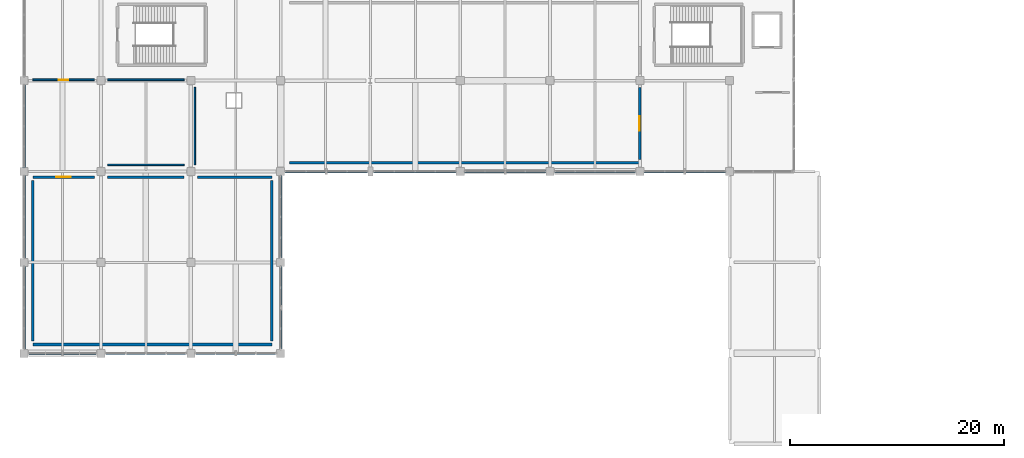
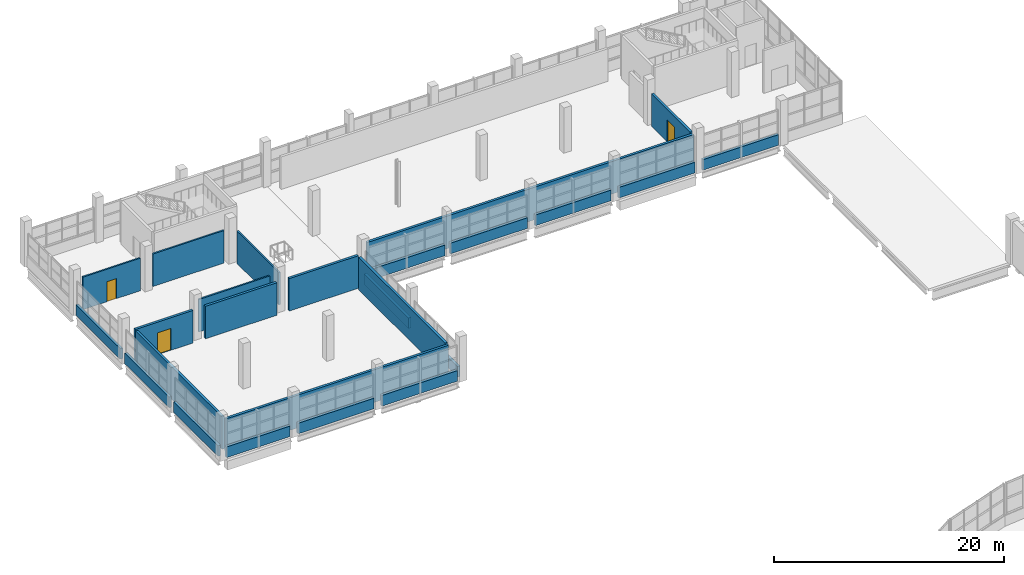
# One storey, part 98 of 117: 25 walls, 3 doors, 3 openings.
"""IFC4 building model written with IfcOpenShell, lengths in metres."""

from ifc_helpers import new_model, si_unit, direction, frame, frame_2d, origin, place, context, subcontext, project, spatial, rectangle, extrude, material, layer, layer_set, type_object, element, fill, save


model = new_model("IFC4")

# Units and contexts
model_context = context("Model", 3, precision=1e-05, world=origin(), true_north=direction((0.0, 1.0)))
body_context = subcontext(model_context, "Body", "Model", "MODEL_VIEW")
ifc_project = project(units=[si_unit("LENGTHUNIT", "METRE"), si_unit("AREAUNIT", "SQUARE_METRE"), si_unit("VOLUMEUNIT", "CUBIC_METRE"), si_unit("PLANEANGLEUNIT", "RADIAN"), si_unit("MASSUNIT", "GRAM", prefix="KILO")], contexts=[model_context])

# Site, building, storey
site_placement = place(None, origin())
site = spatial("IfcSite", under=ifc_project, at=site_placement, CompositionType="ELEMENT")
building_placement = place(site_placement, origin())
building = spatial("IfcBuilding", under=site, at=building_placement, Name="Solvento Point Concert Hall", CompositionType="ELEMENT")
storey_placement = place(building_placement, frame((0.0, 0.0, 5.39990234375)))
storey = spatial("IfcBuildingStorey", under=building, at=storey_placement, Name="L01", CompositionType="ELEMENT", Elevation=5.39990234375)

# Wall, opening, door
ifc_material_1 = material(Name="Acoustic Double-Stud Gypsum Partition")
ifc_layer_1 = layer(ifc_material_1, 0.159912109375)
ifc_layer_set_1 = layer_set([ifc_layer_1], Name="Acoustic Double-Stud Gypsum Partition")
wall_type_1 = type_object("IfcWallType", Name="AcousticPartition_160", PredefinedType="PARTITIONING", material=ifc_layer_set_1)
wall_1_placement = place(storey_placement, frame((0.820068359375, 127.580078125, 0.0), z_axis=(0.0, 0.0, 1.0), x_axis=(1.0, 0.0, 0.0)))
wall_1 = element("IfcWall", 1, at=wall_1_placement, inside=storey, type_object=wall_type_1, Name="Interior acoustic partition PW-97 L01", PredefinedType="PARTITIONING", context=body_context, shape_type="SweptSolid", body=[
    extrude(rectangle(XDim=5.7548828125, YDim=0.159912109375, at=frame_2d((2.87744140625, 0.0))), origin(), (0.0, 0.0, 1.0), 3.4501953125),
])
opening_1_placement = place(wall_1_placement, frame((2.41748046875, 0.0, 0.0)))
opening_1 = element("IfcOpeningElement", 2, at=opening_1_placement, cuts=wall_1, Name="Opening DR-46", PredefinedType="OPENING", context=body_context, shape_type="SweptSolid", body=[
    extrude(rectangle(XDim=0.919921875, YDim=2.1201171875, at=frame_2d((0.4599609375, 1.06005859375))), frame((0.0, 0.08984375, 0.0), z_axis=(0.0, -1.0, 0.0), x_axis=(1.0, 0.0, 0.0)), (0.0, 0.0, 1.0), 0.179931640625),
])
ifc_material_2 = material(Name="Brazilian Hardwood Acoustic Door", Category="wood")
door_type_1 = type_object("IfcDoorType", Name="IntDoor_AccessibleWC", OperationType="NOTDEFINED", PredefinedType="DOOR", material=ifc_material_2)
door_1_placement = place(opening_1_placement, origin())
door_1 = element("IfcDoor", 3, at=door_1_placement, inside=storey, type_object=door_type_1, Name="Interior door DR-46 L01", OperationType="SINGLE_SWING_LEFT", OverallHeight=2.1201171875, OverallWidth=0.919921875, PredefinedType="DOOR", context=body_context, shape_type="SweptSolid", body=[
    extrude(rectangle(XDim=0.919921875, YDim=2.1201171875, at=frame_2d((0.4599609375, 1.06005859375))), frame((0.0, 0.02490234375, 0.0), z_axis=(0.0, -1.0, 0.0), x_axis=(1.0, 0.0, 0.0)), (0.0, 0.0, 1.0), 0.050048828125),
])
fill(opening_1, door_1)

# Walls
for number, where, z_axis, x_axis, name in (
    (4, (7.824951171875, 127.580078125, 0.0), (0.0, 0.0, 1.0), (1.0, 0.0, 0.0), "Interior acoustic partition PW-97 L01"),
    (5, (14.97509765625, 119.6201171875, 0.0), (0.0, 0.0, 1.0), (-1.0, 0.0, 0.0), "Interior acoustic partition PW-97 L01"),
):
    element("IfcWall", number, at=place(storey_placement, frame(where, z_axis=z_axis, x_axis=x_axis)), inside=storey, type_object=wall_type_1, Name=name, PredefinedType="PARTITIONING", context=body_context, shape_type="SweptSolid", body=[
        extrude(rectangle(XDim=7.150146484375, YDim=0.159912109375, at=frame_2d((3.5751953125, 0.0))), origin(), (0.0, 0.0, 1.0), 3.4501953125),
    ])
wall_2_placement = place(storey_placement, frame((15.97998046875, 126.875, 0.0), z_axis=(0.0, 0.0, 1.0), x_axis=(0.0, -1.0, 0.0)))
element("IfcWall", 6, at=wall_2_placement, inside=storey, type_object=wall_type_1, Name="Interior acoustic partition PW-97 L01", PredefinedType="PARTITIONING", context=body_context, shape_type="SweptSolid", body=[
    extrude(rectangle(XDim=7.25, YDim=0.159912109375, at=frame_2d((3.625, 0.0))), origin(), (0.0, 0.0, 1.0), 3.4501953125),
])

# Wall, opening, door
ifc_material_3 = material(Name="Acoustic Double-Stud Gypsum Partition")
ifc_layer_2 = layer(ifc_material_3, 0.2451171875)
ifc_layer_set_2 = layer_set([ifc_layer_2], Name="Acoustic Double-Stud Gypsum Partition")
wall_type_2 = type_object("IfcWallType", Name="AcousticPartition_245", PredefinedType="PARTITIONING", material=ifc_layer_set_2)
wall_3_placement = place(storey_placement, frame((0.820068359375, 118.47998046875, 0.0), z_axis=(0.0, 0.0, 1.0), x_axis=(1.0, 0.0, 0.0)))
wall_3 = element("IfcWall", 7, at=wall_3_placement, inside=storey, type_object=wall_type_2, Name="Interior acoustic partition PW-28 L01", PredefinedType="PARTITIONING", context=body_context, shape_type="SweptSolid", body=[
    extrude(rectangle(XDim=5.7548828125, YDim=0.2451171875, at=frame_2d((2.87744140625, 0.0))), origin(), (0.0, 0.0, 1.0), 3.4501953125),
])
opening_2_placement = place(wall_3_placement, frame((2.202392578125, 0.0, 0.0)))
opening_2 = element("IfcOpeningElement", 8, at=opening_2_placement, cuts=wall_3, Name="Opening DR-31", PredefinedType="OPENING", context=body_context, shape_type="SweptSolid", body=[
    extrude(rectangle(XDim=1.35009765625, YDim=2.320068359375, at=frame_2d((0.675048828125, 1.16015625))), frame((0.0, 0.132568359375, 0.0), z_axis=(0.0, -1.0, 0.0), x_axis=(1.0, 0.0, 0.0)), (0.0, 0.0, 1.0), 0.26513671875),
])
ifc_material_4 = material(Name="Brazilian Hardwood Acoustic Door", Category="wood")
door_type_2 = type_object("IfcDoorType", Name="IntDoor_EnsembleSTC55", OperationType="NOTDEFINED", PredefinedType="DOOR", material=ifc_material_4)
door_2_placement = place(opening_2_placement, origin())
door_2 = element("IfcDoor", 9, at=door_2_placement, inside=storey, type_object=door_type_2, Name="Interior door DR-31 L01", OperationType="SINGLE_SWING_LEFT", OverallHeight=2.320068359375, OverallWidth=1.35009765625, PredefinedType="DOOR", context=body_context, shape_type="SweptSolid", body=[
    extrude(rectangle(XDim=1.35009765625, YDim=2.320068359375, at=frame_2d((0.675048828125, 1.16015625))), frame((0.0, 0.02490234375, 0.0), z_axis=(0.0, -1.0, 0.0), x_axis=(1.0, 0.0, 0.0)), (0.0, 0.0, 1.0), 0.050048828125),
])
fill(opening_2, door_2)

# Walls
wall_4_placement = place(storey_placement, frame((7.824951171875, 118.47998046875, 0.0), z_axis=(0.0, 0.0, 1.0), x_axis=(1.0, 0.0, 0.0)))
element("IfcWall", 10, at=wall_4_placement, inside=storey, type_object=wall_type_2, Name="Interior acoustic partition PW-28 L01", PredefinedType="PARTITIONING", context=body_context, shape_type="SweptSolid", body=[
    extrude(rectangle(XDim=7.150146484375, YDim=0.2451171875, at=frame_2d((3.5751953125, 0.0))), origin(), (0.0, 0.0, 1.0), 3.4501953125),
])
wall_5_placement = place(storey_placement, frame((16.22509765625, 118.47998046875, 0.0), z_axis=(0.0, 0.0, 1.0), x_axis=(1.0, 0.0, 0.0)))
element("IfcWall", 11, at=wall_5_placement, inside=storey, type_object=wall_type_2, Name="Interior acoustic partition PW-28 L01", PredefinedType="PARTITIONING", context=body_context, shape_type="SweptSolid", body=[
    extrude(rectangle(XDim=6.954833984375, YDim=0.2451171875, at=frame_2d((3.4775390625, 0.0))), origin(), (0.0, 0.0, 1.0), 3.4501953125),
])
wall_6_placement = place(storey_placement, frame((23.179931640625, 102.820068359375, 0.0), z_axis=(0.0, 0.0, 1.0), x_axis=(-1.0, 0.0, 0.0)))
element("IfcWall", 12, at=wall_6_placement, inside=storey, type_object=wall_type_2, Name="Interior acoustic partition PW-28 L01", PredefinedType="PARTITIONING", context=body_context, shape_type="SweptSolid", body=[
    extrude(rectangle(XDim=22.35986328125, YDim=0.2451171875, at=frame_2d((11.179931640625, 0.0))), origin(), (0.0, 0.0, 1.0), 3.4501953125),
])
for number, where, z_axis, x_axis, name in (
    (13, (23.179931640625, 118.159912109375, 0.0), (0.0, 0.0, 1.0), (0.0, -1.0, 0.0), "Interior acoustic partition PW-28 L01"),
    (14, (0.820068359375, 103.139892578125, 0.0), (0.0, 0.0, 1.0), (0.0, 1.0, 0.0), "Interior acoustic partition PW-28 L01"),
):
    element("IfcWall", number, at=place(storey_placement, frame(where, z_axis=z_axis, x_axis=x_axis)), inside=storey, type_object=wall_type_2, Name=name, PredefinedType="PARTITIONING", context=body_context, shape_type="SweptSolid", body=[
        extrude(rectangle(XDim=15.02001953125, YDim=0.2451171875, at=frame_2d((7.510009765625, 0.0))), origin(), (0.0, 0.0, 1.0), 3.4501953125),
    ])
wall_7_placement = place(storey_placement, frame((57.580078125, 119.820068359375, 0.0), z_axis=(0.0, 0.0, 1.0), x_axis=(-1.0, 0.0, 0.0)))
element("IfcWall", 15, at=wall_7_placement, inside=storey, type_object=wall_type_2, Name="Interior acoustic partition PW-28 L01", PredefinedType="PARTITIONING", context=body_context, shape_type="SweptSolid", body=[
    extrude(rectangle(XDim=32.760009765625, YDim=0.2451171875, at=frame_2d((16.3798828125, 0.0))), origin(), (0.0, 0.0, 1.0), 3.4501953125),
])

# Wall, opening, door
wall_8_placement = place(storey_placement, frame((57.580078125, 126.875, 0.0), z_axis=(0.0, 0.0, 1.0), x_axis=(0.0, -1.0, 0.0)))
wall_8 = element("IfcWall", 16, at=wall_8_placement, inside=storey, type_object=wall_type_2, Name="Interior acoustic partition PW-28 L01", PredefinedType="PARTITIONING", context=body_context, shape_type="SweptSolid", body=[
    extrude(rectangle(XDim=6.735107421875, YDim=0.2451171875, at=frame_2d((3.36767578125, 0.0))), origin(), (0.0, 0.0, 1.0), 3.4501953125),
])
opening_3_placement = place(wall_8_placement, frame((2.6923828125, 0.0, 0.0)))
opening_3 = element("IfcOpeningElement", 17, at=opening_3_placement, cuts=wall_8, Name="Opening DR-31", PredefinedType="OPENING", context=body_context, shape_type="SweptSolid", body=[
    extrude(rectangle(XDim=1.35009765625, YDim=2.320068359375, at=frame_2d((0.675048828125, 1.16015625))), frame((0.0, 0.132568359375, 0.0), z_axis=(0.0, -1.0, 0.0), x_axis=(1.0, 0.0, 0.0)), (0.0, 0.0, 1.0), 0.26513671875),
])
door_3_placement = place(opening_3_placement, origin())
door_3 = element("IfcDoor", 18, at=door_3_placement, inside=storey, type_object=door_type_2, Name="Interior door DR-31 L01", OperationType="SINGLE_SWING_RIGHT", OverallHeight=2.320068359375, OverallWidth=1.35009765625, PredefinedType="DOOR", context=body_context, shape_type="SweptSolid", body=[
    extrude(rectangle(XDim=1.35009765625, YDim=2.320068359375, at=frame_2d((0.675048828125, 1.16015625))), frame((0.0, 0.02490234375, 0.0), z_axis=(0.0, -1.0, 0.0), x_axis=(1.0, 0.0, 0.0)), (0.0, 0.0, 1.0), 0.050048828125),
])
fill(opening_3, door_3)

# Walls
ifc_material_5 = material(Name="Concrete C40/50", Category="concrete")
ifc_layer_3 = layer(ifc_material_5, 0.260009765625)
ifc_layer_set_3 = layer_set([ifc_layer_3], Name="Concrete C40/50")
wall_type_3 = type_object("IfcWallType", Name="Parapet_Ring_260", PredefinedType="PARAPET", material=ifc_layer_set_3)
for number, where, z_axis, x_axis, name in (
    (19, (0.0, 102.39501953125, 0.0), (0.0, 0.0, 1.0), (0.0, 1.0, 0.0), "Sliding elliptical white concrete ring spandrel PR-01 L01"),
    (20, (0.0, 110.89501953125, 0.0), (0.0, 0.0, 1.0), (0.0, 1.0, 0.0), "Sliding elliptical white concrete ring spandrel PR-01 L01"),
    (21, (0.0, 119.39501953125, 0.0), (0.0, 0.0, 1.0), (0.0, 1.0, 0.0), "Sliding elliptical white concrete ring spandrel PR-01 L01"),
):
    element("IfcWall", number, at=place(storey_placement, frame(where, z_axis=z_axis, x_axis=x_axis)), inside=storey, type_object=wall_type_3, Name=name, PredefinedType="PARAPET", context=body_context, shape_type="SweptSolid", body=[
        extrude(rectangle(XDim=7.7099609375, YDim=0.260009765625, at=frame_2d((3.85498046875, 0.0))), origin(), (0.0, 0.0, 1.0), 1.1201171875),
    ])
wall_9_placement = place(storey_placement, frame((32.1298828125, 119.0, 0.0), z_axis=(0.0, 0.0, 1.0), x_axis=(-1.0, 0.0, 0.0)))
element("IfcWall", 22, at=wall_9_placement, inside=storey, type_object=wall_type_3, Name="Sliding elliptical white concrete ring spandrel PR-01 L01", PredefinedType="PARAPET", context=body_context, shape_type="SweptSolid", body=[
    extrude(rectangle(XDim=7.73486328125, YDim=0.260009765625, at=frame_2d((3.867431640625, 0.0))), origin(), (0.0, 0.0, 1.0), 1.1201171875),
])
wall_10_placement = place(storey_placement, frame((40.405029296875, 119.0, 0.0), z_axis=(0.0, 0.0, 1.0), x_axis=(-1.0, 0.0, 0.0)))
element("IfcWall", 23, at=wall_10_placement, inside=storey, type_object=wall_type_3, Name="Sliding elliptical white concrete ring spandrel PR-01 L01", PredefinedType="PARAPET", context=body_context, shape_type="SweptSolid", body=[
    extrude(rectangle(XDim=7.735107421875, YDim=0.260009765625, at=frame_2d((3.86767578125, 0.0))), origin(), (0.0, 0.0, 1.0), 1.1201171875),
])
wall_11_placement = place(storey_placement, frame((48.804931640625, 119.0, 0.0), z_axis=(0.0, 0.0, 1.0), x_axis=(-1.0, 0.0, 0.0)))
element("IfcWall", 24, at=wall_11_placement, inside=storey, type_object=wall_type_3, Name="Sliding elliptical white concrete ring spandrel PR-01 L01", PredefinedType="PARAPET", context=body_context, shape_type="SweptSolid", body=[
    extrude(rectangle(XDim=7.60986328125, YDim=0.260009765625, at=frame_2d((3.804931640625, 0.0))), origin(), (0.0, 0.0, 1.0), 1.1201171875),
])
wall_12_placement = place(storey_placement, frame((57.205078125, 119.0, 0.0), z_axis=(0.0, 0.0, 1.0), x_axis=(-1.0, 0.0, 0.0)))
element("IfcWall", 25, at=wall_12_placement, inside=storey, type_object=wall_type_3, Name="Sliding elliptical white concrete ring spandrel PR-01 L01", PredefinedType="PARAPET", context=body_context, shape_type="SweptSolid", body=[
    extrude(rectangle(XDim=7.610107421875, YDim=0.260009765625, at=frame_2d((3.80517578125, 0.0))), origin(), (0.0, 0.0, 1.0), 1.1201171875),
])
wall_13_placement = place(storey_placement, frame((65.60498046875, 119.0, 0.0), z_axis=(0.0, 0.0, 1.0), x_axis=(-1.0, 0.0, 0.0)))
element("IfcWall", 26, at=wall_13_placement, inside=storey, type_object=wall_type_3, Name="Sliding elliptical white concrete ring spandrel PR-01 L01", PredefinedType="PARAPET", context=body_context, shape_type="SweptSolid", body=[
    extrude(rectangle(XDim=7.60986328125, YDim=0.260009765625, at=frame_2d((3.804931640625, 0.0))), origin(), (0.0, 0.0, 1.0), 1.1201171875),
])
for number, where, z_axis, x_axis, name in (
    (27, (24.0, 110.10498046875, 0.0), (0.0, 0.0, 1.0), (0.0, -1.0, 0.0), "Sliding elliptical white concrete ring spandrel PR-01 L01"),
    (28, (24.0, 118.60498046875, 0.0), (0.0, 0.0, 1.0), (0.0, -1.0, 0.0), "Sliding elliptical white concrete ring spandrel PR-01 L01"),
):
    element("IfcWall", number, at=place(storey_placement, frame(where, z_axis=z_axis, x_axis=x_axis)), inside=storey, type_object=wall_type_3, Name=name, PredefinedType="PARAPET", context=body_context, shape_type="SweptSolid", body=[
        extrude(rectangle(XDim=7.7099609375, YDim=0.260009765625, at=frame_2d((3.85498046875, 0.0))), origin(), (0.0, 0.0, 1.0), 1.1201171875),
    ])
wall_14_placement = place(storey_placement, frame((6.804931640625, 102.0, 0.0), z_axis=(0.0, 0.0, 1.0), x_axis=(-1.0, 0.0, 0.0)))
element("IfcWall", 29, at=wall_14_placement, inside=storey, type_object=wall_type_3, Name="Sliding elliptical white concrete ring spandrel PR-01 L01", PredefinedType="PARAPET", context=body_context, shape_type="SweptSolid", body=[
    extrude(rectangle(XDim=6.409912109375, YDim=0.260009765625, at=frame_2d((3.205078125, 0.0))), origin(), (0.0, 0.0, 1.0), 1.1201171875),
])
wall_15_placement = place(storey_placement, frame((15.205078125, 102.0, 0.0), z_axis=(0.0, 0.0, 1.0), x_axis=(-1.0, 0.0, 0.0)))
element("IfcWall", 30, at=wall_15_placement, inside=storey, type_object=wall_type_3, Name="Sliding elliptical white concrete ring spandrel PR-01 L01", PredefinedType="PARAPET", context=body_context, shape_type="SweptSolid", body=[
    extrude(rectangle(XDim=7.610107421875, YDim=0.260009765625, at=frame_2d((3.80517578125, 0.0))), origin(), (0.0, 0.0, 1.0), 1.1201171875),
])
wall_16_placement = place(storey_placement, frame((23.60498046875, 102.0, 0.0), z_axis=(0.0, 0.0, 1.0), x_axis=(-1.0, 0.0, 0.0)))
element("IfcWall", 31, at=wall_16_placement, inside=storey, type_object=wall_type_3, Name="Sliding elliptical white concrete ring spandrel PR-01 L01", PredefinedType="PARAPET", context=body_context, shape_type="SweptSolid", body=[
    extrude(rectangle(XDim=7.60986328125, YDim=0.260009765625, at=frame_2d((3.804931640625, 0.0))), origin(), (0.0, 0.0, 1.0), 1.1201171875),
])

save(model, "model.ifc")
